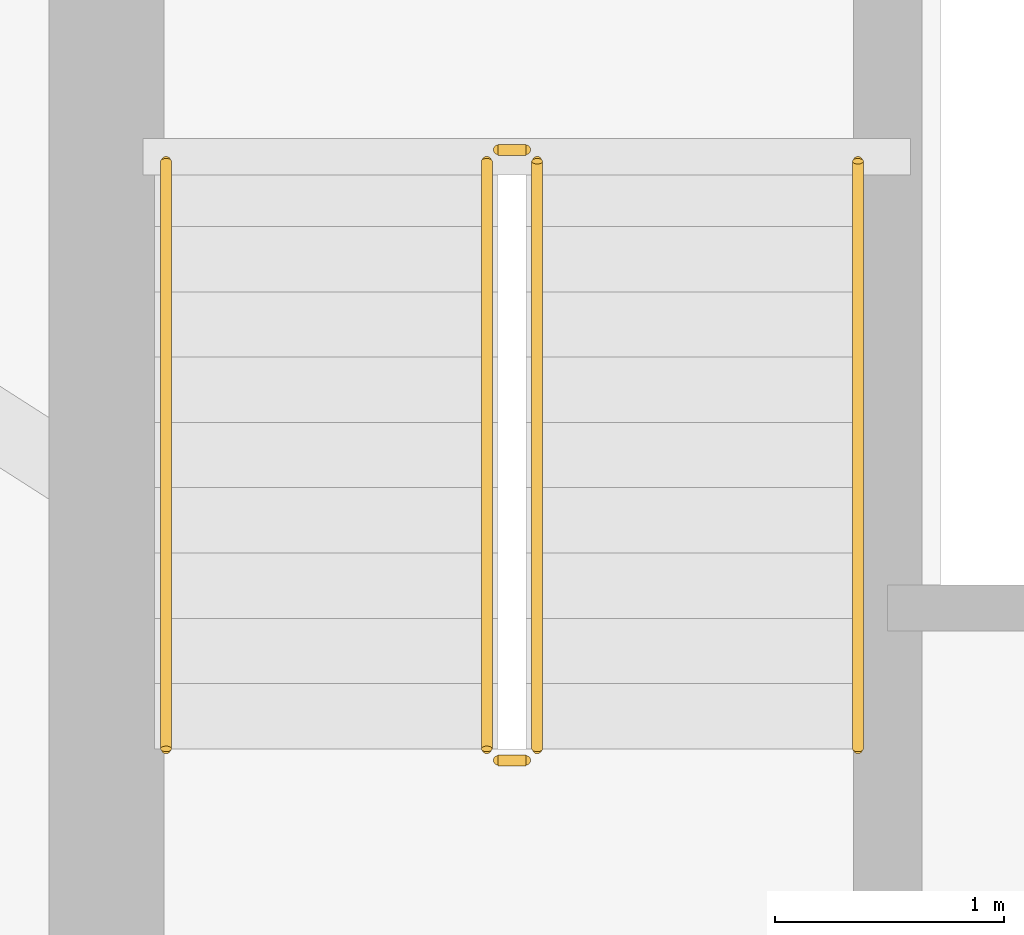
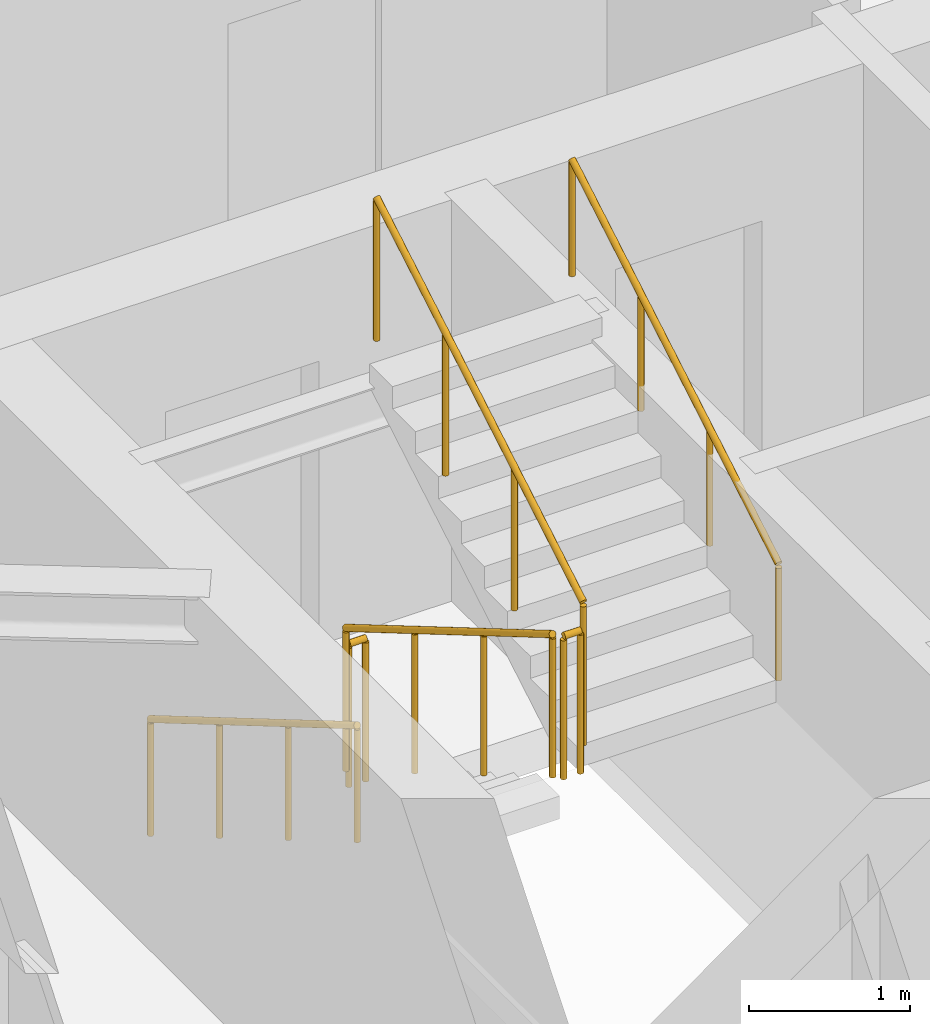
# One storey, part 11 of 12: 6 railings.
"""IFC4 building model written with IfcOpenShell, lengths in metres."""

from ifc_helpers import new_model, si_unit, direction, frame, origin, origin_2d, place, context, subcontext, project, spatial, circle, extrude, material, type_object, element, save


model = new_model("IFC4")

# Units and contexts
model_context = context("Model", 3, precision=1e-05, world=origin(), true_north=direction((0.0, 1.0)))
body_context = subcontext(model_context, "Body", "Model", "MODEL_VIEW")
ifc_project = project(units=[si_unit("LENGTHUNIT", "METRE"), si_unit("AREAUNIT", "SQUARE_METRE"), si_unit("VOLUMEUNIT", "CUBIC_METRE"), si_unit("PLANEANGLEUNIT", "RADIAN"), si_unit("MASSUNIT", "GRAM", prefix="KILO")], contexts=[model_context])

# Site, building, storey
site_placement = place(None, origin())
site = spatial("IfcSite", under=ifc_project, at=site_placement, CompositionType="ELEMENT")
building_placement = place(site_placement, origin())
building = spatial("IfcBuilding", under=site, at=building_placement, Name="Qobustan Lattice House", CompositionType="ELEMENT")
storey_placement = place(building_placement, frame((0.0, 0.0, 189.699951171875)))
storey = spatial("IfcBuildingStorey", under=building, at=storey_placement, Name="L53", CompositionType="ELEMENT", Elevation=189.699951171875)

# Railings
ifc_material_1 = material(Name="Brushed stainless steel handrail", Category="steel")
railing_type_1 = type_object("IfcRailingType", Name="RAL-HR-920", PredefinedType="HANDRAIL", material=ifc_material_1)
railing_1_placement = place(storey_placement, frame((-18.199951171875, 3.5, 0.16748046875)))
element("IfcRailing", 1, at=railing_1_placement, inside=storey, type_object=railing_type_1, Name="L53 ST-W1 stair handrail 1", PredefinedType="HANDRAIL", context=body_context, shape_type="SweptSolid", body=[
    extrude(circle(Radius=0.02392578125, at=origin_2d()), frame((0.0, 0.0, 0.8759765625), z_axis=(0.0, -0.862113467892, 0.50671527358), x_axis=(1.0, 0.0, 0.0)), (0.0, 0.0, 1.0), 2.97509765625),
    extrude(circle(Radius=0.02099609375, at=origin_2d()), origin(), (0.0, 0.0, 1.0), 0.851806640625),
    extrude(circle(Radius=0.02099609375, at=origin_2d()), frame((0.0, -0.85498046875, 0.50244140625)), (0.0, 0.0, 1.0), 0.851806640625),
    extrude(circle(Radius=0.02099609375, at=origin_2d()), frame((0.0, -1.7099609375, 1.005126953125)), (0.0, 0.0, 1.0), 0.851806640625),
    extrude(circle(Radius=0.02099609375, at=origin_2d()), frame((0.0, -2.56494140625, 1.507568359375)), (0.0, 0.0, 1.0), 0.851806640625),
])
railing_2_placement = place(storey_placement, frame((-15.179931640625, 0.93505859375, 1.842529296875)))
element("IfcRailing", 2, at=railing_2_placement, inside=storey, type_object=railing_type_1, Name="L53 ST-W1 stair handrail 2", PredefinedType="HANDRAIL", context=body_context, shape_type="SweptSolid", body=[
    extrude(circle(Radius=0.02392578125, at=origin_2d()), frame((0.0, 0.0, 0.8759765625), z_axis=(0.0, 0.862113467892, 0.50671527358), x_axis=(-1.0, 0.0, 0.0)), (0.0, 0.0, 1.0), 2.97509765625),
    extrude(circle(Radius=0.02099609375, at=origin_2d()), origin(), (0.0, 0.0, 1.0), 0.851806640625),
    extrude(circle(Radius=0.02099609375, at=origin_2d()), frame((0.0, 0.85498046875, 0.50244140625)), (0.0, 0.0, 1.0), 0.851806640625),
    extrude(circle(Radius=0.02099609375, at=origin_2d()), frame((0.0, 1.7099609375, 1.005126953125)), (0.0, 0.0, 1.0), 0.851806640625),
    extrude(circle(Radius=0.02099609375, at=origin_2d()), frame((0.0, 2.56494140625, 1.507568359375)), (0.0, 0.0, 1.0), 0.851806640625),
])
ifc_material_2 = material(Name="Painted galvanized steel guardrail", Category="steel")
railing_type_2 = type_object("IfcRailingType", Name="RAL-STG-1150", PredefinedType="GUARDRAIL", material=ifc_material_2)
railing_3_placement = place(storey_placement, frame((-16.800048828125, 3.5, 0.16748046875)))
element("IfcRailing", 3, at=railing_3_placement, inside=storey, type_object=railing_type_2, Name="L53 ST-W1 stair guard 1", PredefinedType="GUARDRAIL", context=body_context, shape_type="SweptSolid", body=[
    extrude(circle(Radius=0.02392578125, at=origin_2d()), frame((0.0, 0.0, 1.076171875), z_axis=(0.0, -0.862113467892, 0.50671527358), x_axis=(1.0, 0.0, 0.0)), (0.0, 0.0, 1.0), 2.97509765625),
    extrude(circle(Radius=0.02099609375, at=origin_2d()), origin(), (0.0, 0.0, 1.0), 1.052001953125),
    extrude(circle(Radius=0.02099609375, at=origin_2d()), frame((0.0, -0.85498046875, 0.50244140625)), (0.0, 0.0, 1.0), 1.052001953125),
    extrude(circle(Radius=0.02099609375, at=origin_2d()), frame((0.0, -1.7099609375, 1.005126953125)), (0.0, 0.0, 1.0), 1.052001953125),
    extrude(circle(Radius=0.02099609375, at=origin_2d()), frame((0.0, -2.56494140625, 1.507568359375)), (0.0, 0.0, 1.0), 1.052001953125),
])
railing_4_placement = place(storey_placement, frame((-16.75, 0.885009765625, 1.675048828125)))
element("IfcRailing", 4, at=railing_4_placement, inside=storey, type_object=railing_type_2, Name="L53 ST-W1 stair guard 2", PredefinedType="GUARDRAIL", context=body_context, shape_type="SweptSolid", body=[
    extrude(circle(Radius=0.02392578125, at=origin_2d()), frame((0.0, 0.0, 1.076171875), z_axis=(1.0, 0.0, 0.0), x_axis=(0.0, 1.0, 0.0)), (0.0, 0.0, 1.0), 0.1201171875),
    extrude(circle(Radius=0.02099609375, at=origin_2d()), origin(), (0.0, 0.0, 1.0), 1.052001953125),
    extrude(circle(Radius=0.02099609375, at=origin_2d()), frame((0.1201171875, 0.0, 0.0)), (0.0, 0.0, 1.0), 1.052001953125),
])
railing_5_placement = place(storey_placement, frame((-16.580078125, 0.93505859375, 1.842529296875)))
element("IfcRailing", 5, at=railing_5_placement, inside=storey, type_object=railing_type_2, Name="L53 ST-W1 stair guard 3", PredefinedType="GUARDRAIL", context=body_context, shape_type="SweptSolid", body=[
    extrude(circle(Radius=0.02392578125, at=origin_2d()), frame((0.0, 0.0, 1.076171875), z_axis=(0.0, 0.862113467892, 0.50671527358), x_axis=(-1.0, 0.0, 0.0)), (0.0, 0.0, 1.0), 2.97509765625),
    extrude(circle(Radius=0.02099609375, at=origin_2d()), origin(), (0.0, 0.0, 1.0), 1.052001953125),
    extrude(circle(Radius=0.02099609375, at=origin_2d()), frame((0.0, 0.85498046875, 0.50244140625)), (0.0, 0.0, 1.0), 1.052001953125),
    extrude(circle(Radius=0.02099609375, at=origin_2d()), frame((0.0, 1.7099609375, 1.005126953125)), (0.0, 0.0, 1.0), 1.052001953125),
    extrude(circle(Radius=0.02099609375, at=origin_2d()), frame((0.0, 2.56494140625, 1.507568359375)), (0.0, 0.0, 1.0), 1.052001953125),
])
railing_6_placement = place(storey_placement, frame((-16.75, 3.550048828125, 0.0)))
element("IfcRailing", 6, at=railing_6_placement, inside=storey, type_object=railing_type_2, Name="L53 ST-W1 stair guard 4", PredefinedType="GUARDRAIL", context=body_context, shape_type="SweptSolid", body=[
    extrude(circle(Radius=0.02392578125, at=origin_2d()), frame((0.0, 0.0, 1.076171875), z_axis=(1.0, 0.0, 0.0), x_axis=(0.0, 1.0, 0.0)), (0.0, 0.0, 1.0), 0.1201171875),
    extrude(circle(Radius=0.02099609375, at=origin_2d()), origin(), (0.0, 0.0, 1.0), 1.052001953125),
    extrude(circle(Radius=0.02099609375, at=origin_2d()), frame((0.1201171875, 0.0, 0.0)), (0.0, 0.0, 1.0), 1.052001953125),
])

save(model, "model.ifc")
